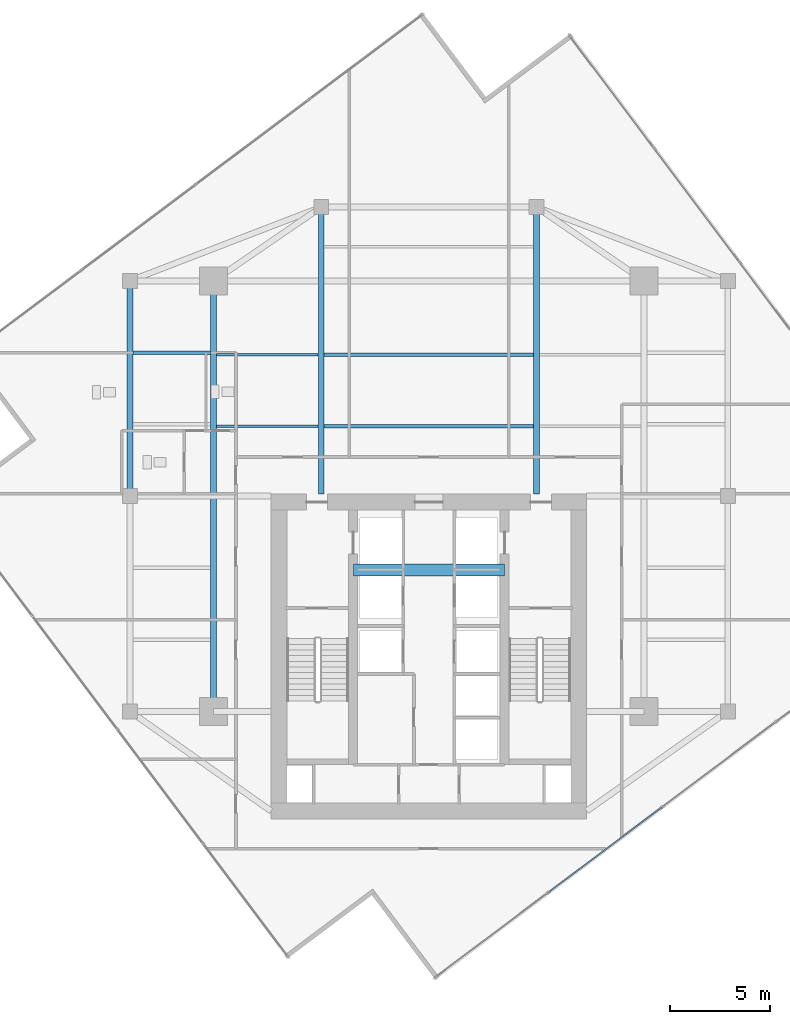
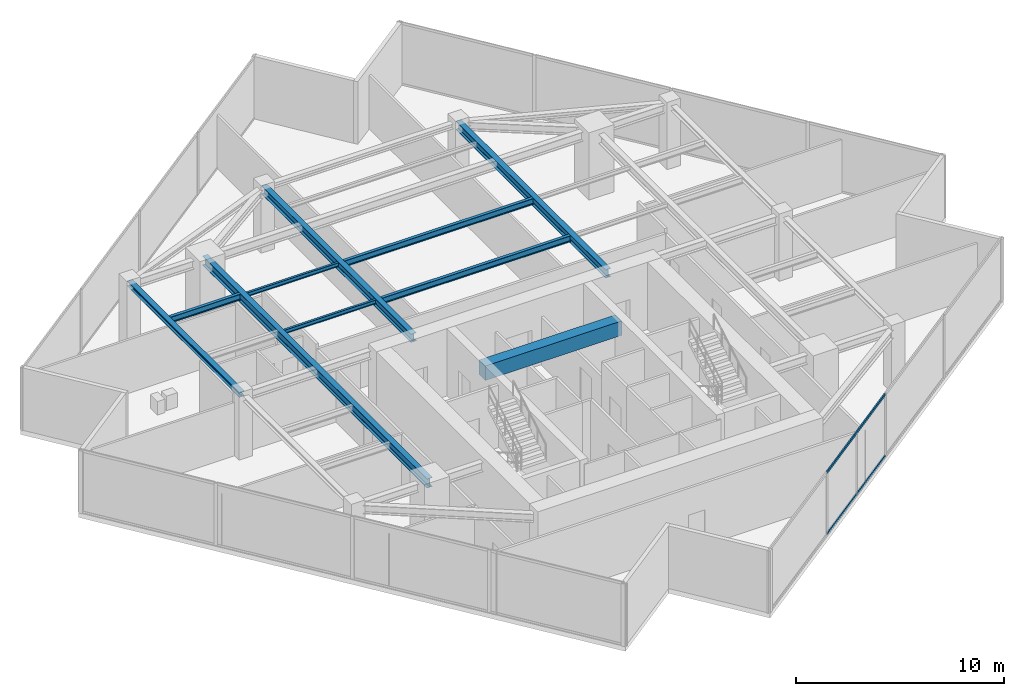
# One storey, part 6 of 21: 10 beams, 2 members, 1 element without a shape of its own.
"""IFC4 building model written with IfcOpenShell, lengths in metres."""

from ifc_helpers import new_model, si_unit, direction, frame, origin, origin_2d, place, context, subcontext, project, spatial, rectangle, hollow_rectangle, i_section, extrude, source, transform, mapped, material, material_profile, profile_set, type_object, type_shapes, element, aggregate, save


model = new_model("IFC4")

# Units and contexts
model_context = context("Model", 3, precision=1e-05, world=origin(), true_north=direction((0.0, 1.0)))
body_context = subcontext(model_context, "Body", "Model", "MODEL_VIEW")
ifc_project = project(units=[si_unit("LENGTHUNIT", "METRE"), si_unit("AREAUNIT", "SQUARE_METRE"), si_unit("VOLUMEUNIT", "CUBIC_METRE"), si_unit("PLANEANGLEUNIT", "RADIAN"), si_unit("MASSUNIT", "GRAM", prefix="KILO")], contexts=[model_context])

# Site, building, storey
site_placement = place(None, origin())
site = spatial("IfcSite", under=ifc_project, at=site_placement, CompositionType="ELEMENT")
building_placement = place(site_placement, origin())
building = spatial("IfcBuilding", under=site, at=building_placement, Name="Krantzveldt Concourse Tower", CompositionType="ELEMENT")
storey_placement = place(building_placement, frame((0.0, 0.0, 267.39990234375)))
storey = spatial("IfcBuildingStorey", under=building, at=storey_placement, Name="L65", CompositionType="ELEMENT", Elevation=267.39990234375)

# Beams
ifc_material_1 = material(Name="Steel S355JR", Category="steel")
ifc_material_profile_1 = material_profile(ifc_material_1, i_section(OverallWidth=0.169921875, OverallDepth=0.360107421875, WebThickness=0.008056640625, FlangeThickness=0.0126953125, FilletRadius=0.01806640625, at=origin_2d()), Name="Steel S355JR", Category="steel")
ifc_profile_set_1 = profile_set([ifc_material_profile_1], Name="Steel S355JR - IPE 360")
beam_type_1 = type_object("IfcBeamType", Name="BM-J-IPE360", PredefinedType="JOIST", material=ifc_profile_set_1)
shared_shape_1 = source(origin(), body_context, "Body", "SweptSolid", [
    extrude(i_section(OverallWidth=0.169921875, OverallDepth=0.360107421875, WebThickness=0.008056640625, FlangeThickness=0.0126953125, FilletRadius=0.01806640625, at=origin_2d()), origin(), (0.0, 0.0, 1.0), 10.5),
])
for number, where, z_axis, x_axis, name in (
    (1, (30.75, 30.199951171875, 3.489990234375), (1.0, 0.0, 0.0), (0.0, 1.0, 0.0), "L65 Secondary Floor Joist JN-C1"),
    (2, (30.75, 33.800048828125, 3.489990234375), (1.0, 0.0, 0.0), (0.0, 1.0, 0.0), "L65 Secondary Floor Joist JN-C2"),
):
    element("IfcBeam", number, at=place(storey_placement, frame(where, z_axis=z_axis, x_axis=x_axis)), inside=storey, type_object=beam_type_1, Name=name, PredefinedType="JOIST", context=body_context, shape_type="MappedRepresentation", body=[
        mapped(shared_shape_1, transform((0.0, 0.0, 0.0), x_axis=(1.0, 0.0, 0.0), y_axis=(0.0, 1.0, 0.0), z_axis=(0.0, 0.0, 1.0), scale=1.0)),
    ])
ifc_material_profile_2 = material_profile(ifc_material_1, i_section(OverallWidth=0.300048828125, OverallDepth=0.489990234375, WebThickness=0.011962890625, FlangeThickness=0.02294921875, FilletRadius=0.027099609375, at=origin_2d()), Name="Steel S355JR", Category="steel")
ifc_profile_set_2 = profile_set([ifc_material_profile_2], Name="Steel S355JR - HEA 500")
beam_type_2 = type_object("IfcBeamType", Name="BM-B-HEA500", PredefinedType="BEAM", material=ifc_profile_set_2)
shared_shape_2 = source(origin(), body_context, "Body", "SweptSolid", [
    extrude(i_section(OverallWidth=0.300048828125, OverallDepth=0.489990234375, WebThickness=0.011962890625, FlangeThickness=0.02294921875, FilletRadius=0.027099609375, at=origin_2d()), origin(), (0.0, 0.0, 1.0), 14.39990234375),
])
type_shapes(beam_type_2, [shared_shape_2])
for number, where, z_axis, x_axis, name in (
    (3, (30.60009765625, 26.800048828125, 3.425048828125), (0.0, 1.0, 0.0), (-1.0, 0.0, 0.0), "L65 Tower Girder BG-CNW"),
    (4, (41.39990234375, 26.800048828125, 3.425048828125), (0.0, 1.0, 0.0), (-1.0, 0.0, 0.0), "L65 Tower Girder BG-CNE"),
):
    element("IfcBeam", number, at=place(storey_placement, frame(where, z_axis=z_axis, x_axis=x_axis)), inside=storey, type_object=beam_type_2, Name=name, PredefinedType="BEAM", context=body_context, shape_type="MappedRepresentation", body=[
        mapped(shared_shape_2, transform((0.0, 0.0, 0.0), x_axis=(1.0, 0.0, 0.0), y_axis=(0.0, 1.0, 0.0), z_axis=(0.0, 0.0, 1.0), scale=1.0)),
    ])
ifc_material_2 = material(Name="Concrete C50/60", Category="concrete")
ifc_material_profile_3 = material_profile(ifc_material_2, rectangle(XDim=0.60009765625, YDim=0.85009765625, at=origin_2d()), Name="Concrete C50/60", Category="concrete")
ifc_profile_set_3 = profile_set([ifc_material_profile_3], Name="Concrete C50/60 - RC-CB 600x850")
beam_type_3 = type_object("IfcBeamType", Name="BM-CB-850", PredefinedType="LINTEL", material=ifc_profile_set_3)
shared_shape_3 = source(origin(), body_context, "Body", "SweptSolid", [
    extrude(rectangle(XDim=0.60009765625, YDim=0.85009765625, at=origin_2d()), origin(), (0.0, 0.0, 1.0), 7.580078125),
])
type_shapes(beam_type_3, [shared_shape_3])
beam_1_placement = place(storey_placement, frame((32.2099609375, 23.0, 3.2451171875), z_axis=(1.0, 0.0, 0.0), x_axis=(0.0, 1.0, 0.0)))
element("IfcBeam", 5, at=beam_1_placement, inside=storey, type_object=beam_type_3, Name="CB-L65-01", PredefinedType="LINTEL", context=body_context, shape_type="MappedRepresentation", body=[
    mapped(shared_shape_3, transform((0.0, 0.0, 0.0), x_axis=(1.0, 0.0, 0.0), y_axis=(0.0, 1.0, 0.0), z_axis=(0.0, 0.0, 1.0), scale=1.0)),
])
ifc_material_profile_4 = material_profile(ifc_material_1, i_section(OverallWidth=0.300048828125, OverallDepth=0.5400390625, WebThickness=0.012451171875, FlangeThickness=0.02392578125, FilletRadius=0.027099609375, at=origin_2d()), Name="Steel S355JR", Category="steel")
ifc_profile_set_4 = profile_set([ifc_material_profile_4], Name="Steel S355JR - HEA 550")
beam_type_4 = type_object("IfcBeamType", Name="BM-B-HEA550", PredefinedType="BEAM", material=ifc_profile_set_4)
shared_shape_4 = source(origin(), body_context, "Body", "SweptSolid", [
    extrude(i_section(OverallWidth=0.300048828125, OverallDepth=0.5400390625, WebThickness=0.012451171875, FlangeThickness=0.02392578125, FilletRadius=0.027099609375, at=origin_2d()), origin(), (0.0, 0.0, 1.0), 21.60009765625),
])
type_shapes(beam_type_4, [shared_shape_4])
beam_2_placement = place(storey_placement, frame((25.199951171875, 15.89990234375, 3.400146484375), z_axis=(0.0, 1.0, 0.0), x_axis=(-1.0, 0.0, 0.0)))
element("IfcBeam", 6, at=beam_2_placement, inside=storey, type_object=beam_type_4, Name="L65 Tower Girder BG-MW", PredefinedType="BEAM", context=body_context, shape_type="MappedRepresentation", body=[
    mapped(shared_shape_4, transform((0.0, 0.0, 0.0), x_axis=(1.0, 0.0, 0.0), y_axis=(0.0, 1.0, 0.0), z_axis=(0.0, 0.0, 1.0), scale=1.0)),
])
ifc_material_profile_5 = material_profile(ifc_material_1, i_section(OverallWidth=0.2900390625, OverallDepth=0.2900390625, WebThickness=0.008544921875, FlangeThickness=0.013916015625, FilletRadius=0.027099609375, at=origin_2d()), Name="Steel S355JR", Category="steel")
ifc_profile_set_5 = profile_set([ifc_material_profile_5], Name="Steel S355JR - HEA 300")
beam_type_5 = type_object("IfcBeamType", Name="BM-SP-HEA300", PredefinedType="SPANDREL", material=ifc_profile_set_5)
shared_shape_5 = source(origin(), body_context, "Body", "SweptSolid", [
    extrude(i_section(OverallWidth=0.2900390625, OverallDepth=0.2900390625, WebThickness=0.008544921875, FlangeThickness=0.013916015625, FilletRadius=0.027099609375, at=origin_2d()), origin(), (0.0, 0.0, 1.0), 10.800048828125),
])
type_shapes(beam_type_5, [shared_shape_5])
beam_3_placement = place(storey_placement, frame((21.0, 26.699951171875, 3.525146484375), z_axis=(0.0, 1.0, 0.0), x_axis=(-1.0, 0.0, 0.0)))
element("IfcBeam", 7, at=beam_3_placement, inside=storey, type_object=beam_type_5, Name="L65 Tower Girder SP-R02", PredefinedType="SPANDREL", context=body_context, shape_type="MappedRepresentation", body=[
    mapped(shared_shape_5, transform((0.0, 0.0, 0.0), x_axis=(1.0, 0.0, 0.0), y_axis=(0.0, 1.0, 0.0), z_axis=(0.0, 0.0, 1.0), scale=1.0)),
])
ifc_material_profile_6 = material_profile(ifc_material_1, i_section(OverallWidth=0.1201171875, OverallDepth=0.239990234375, WebThickness=0.006103515625, FlangeThickness=0.009765625, FilletRadius=0.014892578125, at=origin_2d()), Name="Steel S355JR", Category="steel")
ifc_profile_set_6 = profile_set([ifc_material_profile_6], Name="Steel S355JR - IPE 240")
beam_type_6 = type_object("IfcBeamType", Name="BM-LN-IPE240", PredefinedType="LINTEL", material=ifc_profile_set_6)
shared_shape_6 = source(origin(), body_context, "Body", "SweptSolid", [
    extrude(i_section(OverallWidth=0.1201171875, OverallDepth=0.239990234375, WebThickness=0.006103515625, FlangeThickness=0.009765625, FilletRadius=0.014892578125, at=origin_2d()), origin(), (0.0, 0.0, 1.0), 5.099853515625),
])
type_shapes(beam_type_6, [shared_shape_6])
for number, where, z_axis, x_axis, name in (
    (8, (25.35009765625, 30.199951171875, 3.550048828125), (1.0, 0.0, 0.0), (0.0, 1.0, 0.0), "L65 Secondary Floor Joist JN-W1"),
    (9, (25.35009765625, 33.800048828125, 3.550048828125), (1.0, 0.0, 0.0), (0.0, 1.0, 0.0), "L65 Secondary Floor Joist JN-W2"),
):
    element("IfcBeam", number, at=place(storey_placement, frame(where, z_axis=z_axis, x_axis=x_axis)), inside=storey, type_object=beam_type_6, Name=name, PredefinedType="LINTEL", context=body_context, shape_type="MappedRepresentation", body=[
        mapped(shared_shape_6, transform((0.0, 0.0, 0.0), x_axis=(1.0, 0.0, 0.0), y_axis=(0.0, 1.0, 0.0), z_axis=(0.0, 0.0, 1.0), scale=1.0)),
    ])
shared_shape_7 = source(origin(), body_context, "Body", "SweptSolid", [
    extrude(i_section(OverallWidth=0.169921875, OverallDepth=0.360107421875, WebThickness=0.008056640625, FlangeThickness=0.0126953125, FilletRadius=0.01806640625, at=origin_2d()), origin(), (0.0, 0.0, 1.0), 3.900146484375),
])
type_shapes(beam_type_1, [shared_shape_1, shared_shape_7])
beam_4_placement = place(storey_placement, frame((21.14990234375, 33.89990234375, 3.489990234375), z_axis=(1.0, 0.0, 0.0), x_axis=(0.0, 1.0, 0.0)))
element("IfcBeam", 10, at=beam_4_placement, inside=storey, type_object=beam_type_1, Name="L65 Secondary Floor Joist JW-4", PredefinedType="JOIST", context=body_context, shape_type="MappedRepresentation", body=[
    mapped(shared_shape_7, transform((0.0, 0.0, 0.0), x_axis=(1.0, 0.0, 0.0), y_axis=(0.0, 1.0, 0.0), z_axis=(0.0, 0.0, 1.0), scale=1.0)),
])

# Curtain wall, members
ifc_material_3 = material(Name="Anodised aluminium 6063-T6", Category="aluminium")
curtain_wall_type = type_object("IfcCurtainWallType", Name="CW4", PredefinedType="USERDEFINED", material=ifc_material_3)
curtain_wall_placement = place(storey_placement, origin())
curtain_wall = element("IfcCurtainWall", 11, at=curtain_wall_placement, inside=storey, type_object=curtain_wall_type, Name="CW-L65-F07", ObjectType="UNITISED CURTAIN WALL", PredefinedType="USERDEFINED")
ifc_material_profile_7 = material_profile(ifc_material_3, hollow_rectangle(XDim=0.070068359375, YDim=0.139892578125, WallThickness=0.0048828125, at=origin_2d()), Name="Anodised aluminium 6063-T6", Category="aluminium")
ifc_profile_set_7 = profile_set([ifc_material_profile_7], Name="Anodised aluminium 6063-T6 - ALU-TRAN 140x70x5")
member_type = type_object("IfcMemberType", Name="CW-TRN-150", PredefinedType="USERDEFINED", material=ifc_profile_set_7)
shared_shape_8 = source(origin(), body_context, "Body", "SweptSolid", [
    extrude(hollow_rectangle(XDim=0.070068359375, YDim=0.139892578125, WallThickness=0.0048828125, at=origin_2d()), origin(), (0.0, 0.0, 1.0), 7.080078125),
])
type_shapes(member_type, [shared_shape_8])
member_1_placement = place(storey_placement, frame((42.015869140625, 6.823486328125, 0.03515625), z_axis=(0.799942064438, 0.600077239648, 0.0), x_axis=(-0.600077239648, 0.799942064438, 0.0)))
member_1 = element("IfcMember", 12, at=member_1_placement, type_object=member_type, Name="CW-Z56 transom 2.1", ObjectType="TRANSOM", PredefinedType="USERDEFINED", context=body_context, shape_type="MappedRepresentation", body=[
    mapped(shared_shape_8, transform((0.0, 0.0, 0.0), x_axis=(1.0, 0.0, 0.0), y_axis=(0.0, 1.0, 0.0), z_axis=(0.0, 0.0, 1.0), scale=1.0)),
])
member_2_placement = place(storey_placement, frame((42.015869140625, 6.823486328125, 3.635009765625), z_axis=(0.799942064438, 0.600077239648, 0.0), x_axis=(-0.600077239648, 0.799942064438, 0.0)))
member_2 = element("IfcMember", 13, at=member_2_placement, type_object=member_type, Name="CW-Z56 transom 2.2", ObjectType="TRANSOM", PredefinedType="USERDEFINED", context=body_context, shape_type="MappedRepresentation", body=[
    mapped(shared_shape_8, transform((0.0, 0.0, 0.0), x_axis=(1.0, 0.0, 0.0), y_axis=(0.0, 1.0, 0.0), z_axis=(0.0, 0.0, 1.0), scale=1.0)),
])
aggregate(curtain_wall, [member_1, member_2])

save(model, "model.ifc")
